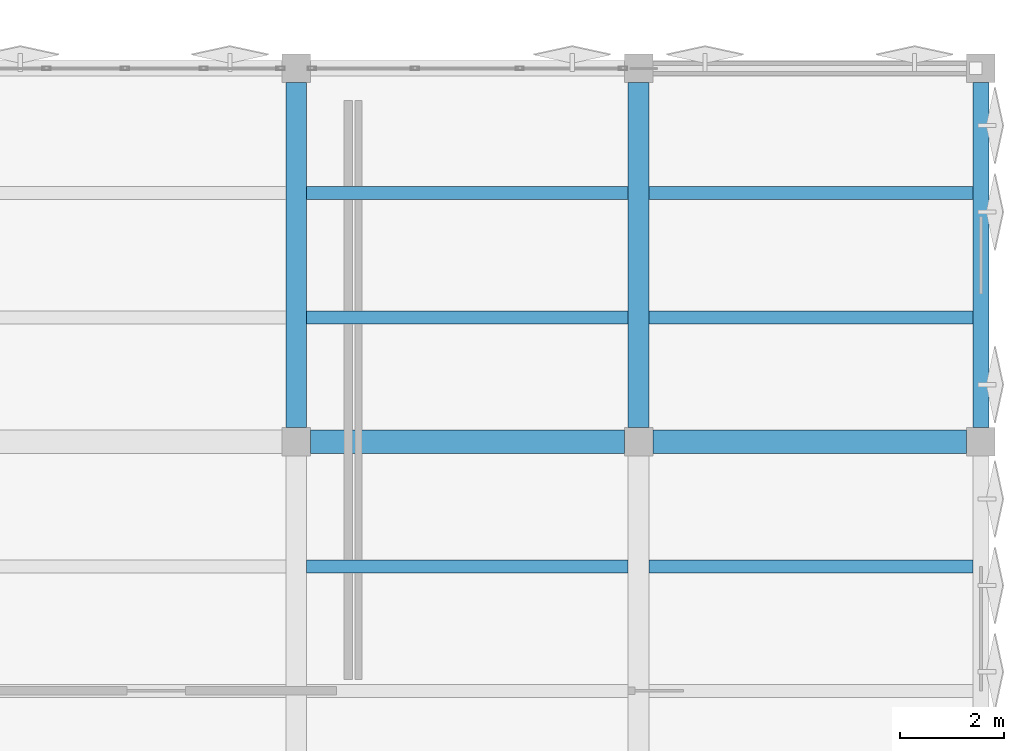
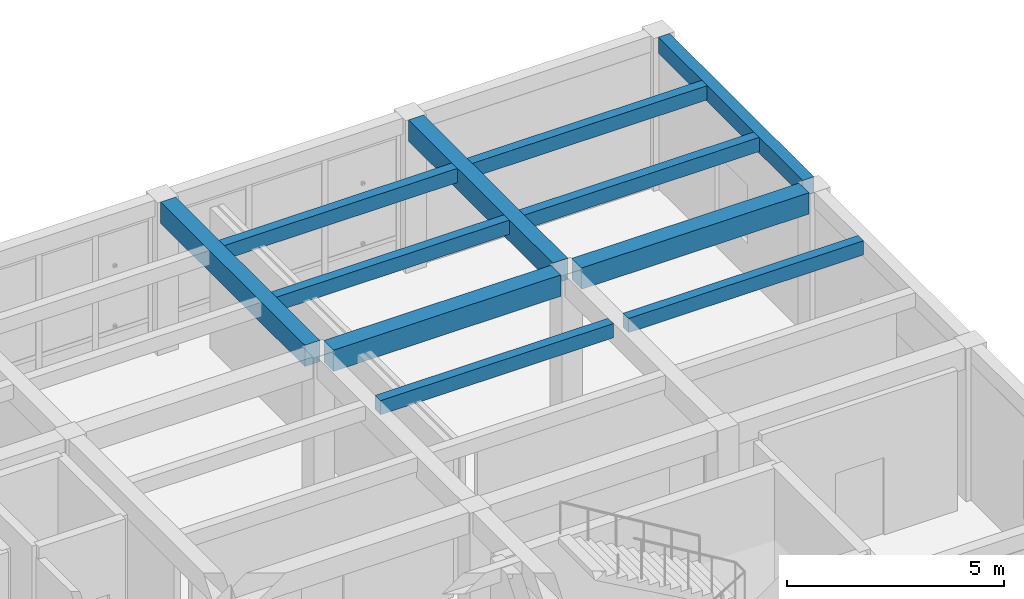
# One storey, part 18 of 36: 11 beams.
"""IFC4 building model written with IfcOpenShell, lengths in metres."""

from ifc_helpers import new_model, si_unit, direction, frame, origin, origin_2d, place, context, subcontext, project, spatial, rectangle, extrude, material, material_profile, profile_set, type_object, element, save


model = new_model("IFC4")

# Units and contexts
model_context = context("Model", 3, precision=1e-05, world=origin(), true_north=direction((0.0, 1.0)))
body_context = subcontext(model_context, "Body", "Model", "MODEL_VIEW")
ifc_project = project(units=[si_unit("LENGTHUNIT", "METRE"), si_unit("AREAUNIT", "SQUARE_METRE"), si_unit("VOLUMEUNIT", "CUBIC_METRE"), si_unit("PLANEANGLEUNIT", "RADIAN"), si_unit("MASSUNIT", "GRAM", prefix="KILO")], contexts=[model_context])

# Site, building, storey
site_placement = place(None, origin())
site = spatial("IfcSite", under=ifc_project, at=site_placement, CompositionType="ELEMENT")
building_placement = place(site_placement, origin())
building = spatial("IfcBuilding", under=site, at=building_placement, Name="Kharisveld Research Institute", CompositionType="ELEMENT")
storey_placement = place(building_placement, frame((0.0, 0.0, 27.60009765625)))
storey = spatial("IfcBuildingStorey", under=building, at=storey_placement, Name="L06", CompositionType="ELEMENT", Elevation=27.60009765625)

# Beams
ifc_material_1 = material(Name="Concrete C40/50", Category="concrete")
ifc_material_profile_1 = material_profile(ifc_material_1, rectangle(XDim=0.39990234375, YDim=0.60009765625, at=origin_2d()))
ifc_profile_set_1 = profile_set([ifc_material_profile_1], Name="Concrete C40/50")
beam_type_1 = type_object("IfcBeamType", Name="BM_RC_400x600", PredefinedType="BEAM", material=ifc_profile_set_1)
for number, where, z_axis, x_axis, name in (
    (1, (147.60009765625, 53.875, 4.0), (0.0, 1.0, 0.0), (-1.0, 0.0, 0.0), "BM:V2:L06:V5_2"),
    (2, (154.199951171875, 53.875, 4.0), (0.0, 1.0, 0.0), (-1.0, 0.0, 0.0), "BM:V2:L06:V6_2"),
):
    element("IfcBeam", number, at=place(storey_placement, frame(where, z_axis=z_axis, x_axis=x_axis)), inside=storey, type_object=beam_type_1, Name=name, PredefinedType="BEAM", context=body_context, shape_type="SweptSolid", body=[
        extrude(rectangle(XDim=0.39990234375, YDim=0.60009765625, at=origin_2d()), origin(), (0.0, 0.0, 1.0), 6.64990234375),
    ])
ifc_material_2 = material(Name="Concrete C40/50", Category="concrete")
ifc_material_profile_2 = material_profile(ifc_material_2, rectangle(XDim=0.449951171875, YDim=0.60009765625, at=origin_2d()))
ifc_profile_set_2 = profile_set([ifc_material_profile_2], Name="Concrete C40/50")
beam_type_2 = type_object("IfcBeamType", Name="BM_RC_450x600", PredefinedType="BEAM", material=ifc_profile_set_2)
beam_1_placement = place(storey_placement, frame((147.875, 53.60009765625, 4.0), z_axis=(1.0, 0.0, 0.0), x_axis=(0.0, 1.0, 0.0)))
element("IfcBeam", 3, at=beam_1_placement, inside=storey, type_object=beam_type_2, Name="BM:V2:L06:U5_2", PredefinedType="BEAM", context=body_context, shape_type="SweptSolid", body=[
    extrude(rectangle(XDim=0.449951171875, YDim=0.60009765625, at=origin_2d()), origin(), (0.0, 0.0, 1.0), 6.050048828125),
])
beam_2_placement = place(storey_placement, frame((154.47509765625, 53.60009765625, 4.0), z_axis=(1.0, 0.0, 0.0), x_axis=(0.0, 1.0, 0.0)))
element("IfcBeam", 4, at=beam_2_placement, inside=storey, type_object=beam_type_2, Name="BM:V2:L06:U6_2", PredefinedType="BEAM", context=body_context, shape_type="SweptSolid", body=[
    extrude(rectangle(XDim=0.449951171875, YDim=0.60009765625, at=origin_2d()), origin(), (0.0, 0.0, 1.0), 6.0498046875),
])
ifc_material_3 = material(Name="Concrete C40/50", Category="concrete")
ifc_material_profile_3 = material_profile(ifc_material_3, rectangle(XDim=0.300048828125, YDim=0.449951171875, at=origin_2d()))
ifc_profile_set_3 = profile_set([ifc_material_profile_3], Name="Concrete C40/50")
beam_type_3 = type_object("IfcBeamType", Name="SP_RC_300x450", PredefinedType="SPANDREL", material=ifc_profile_set_3)
beam_3_placement = place(storey_placement, frame((160.800048828125, 53.875, 4.074951171875), z_axis=(0.0, 1.0, 0.0), x_axis=(-1.0, 0.0, 0.0)))
element("IfcBeam", 5, at=beam_3_placement, inside=storey, type_object=beam_type_3, Name="BM:V2:L06:V7_2", PredefinedType="SPANDREL", context=body_context, shape_type="SweptSolid", body=[
    extrude(rectangle(XDim=0.300048828125, YDim=0.449951171875, at=origin_2d()), origin(), (0.0, 0.0, 1.0), 6.64990234375),
])
ifc_material_4 = material(Name="Concrete C40/50", Category="concrete")
ifc_material_profile_4 = material_profile(ifc_material_4, rectangle(XDim=0.25, YDim=0.39990234375, at=origin_2d()))
ifc_profile_set_4 = profile_set([ifc_material_profile_4], Name="Concrete C40/50")
beam_type_4 = type_object("IfcBeamType", Name="WB_RC_250x400", PredefinedType="JOIST", material=ifc_profile_set_4)
for number, where, z_axis, x_axis, name in (
    (6, (147.800048828125, 51.199951171875, 4.099853515625), (1.0, 0.0, 0.0), (0.0, 1.0, 0.0), "BM:V2:L06:J_5_1_R2"),
    (7, (147.800048828125, 56.0, 4.099853515625), (1.0, 0.0, 0.0), (0.0, 1.0, 0.0), "BM:V2:L06:J_5_2_R1"),
    (8, (147.800048828125, 58.39990234375, 4.099853515625), (1.0, 0.0, 0.0), (0.0, 1.0, 0.0), "BM:V2:L06:J_5_2_R2"),
):
    element("IfcBeam", number, at=place(storey_placement, frame(where, z_axis=z_axis, x_axis=x_axis)), inside=storey, type_object=beam_type_4, Name=name, PredefinedType="JOIST", context=body_context, shape_type="SweptSolid", body=[
        extrude(rectangle(XDim=0.25, YDim=0.39990234375, at=origin_2d()), origin(), (0.0, 0.0, 1.0), 6.199951171875),
    ])
for number, where, z_axis, x_axis, name in (
    (9, (154.39990234375, 51.199951171875, 4.099853515625), (1.0, 0.0, 0.0), (0.0, 1.0, 0.0), "BM:V2:L06:J_6_1_R2"),
    (10, (154.39990234375, 56.0, 4.099853515625), (1.0, 0.0, 0.0), (0.0, 1.0, 0.0), "BM:V2:L06:J_6_2_R1"),
    (11, (154.39990234375, 58.39990234375, 4.099853515625), (1.0, 0.0, 0.0), (0.0, 1.0, 0.0), "BM:V2:L06:J_6_2_R2"),
):
    element("IfcBeam", number, at=place(storey_placement, frame(where, z_axis=z_axis, x_axis=x_axis)), inside=storey, type_object=beam_type_4, Name=name, PredefinedType="JOIST", context=body_context, shape_type="SweptSolid", body=[
        extrude(rectangle(XDim=0.25, YDim=0.39990234375, at=origin_2d()), origin(), (0.0, 0.0, 1.0), 6.25),
    ])

save(model, "model.ifc")
